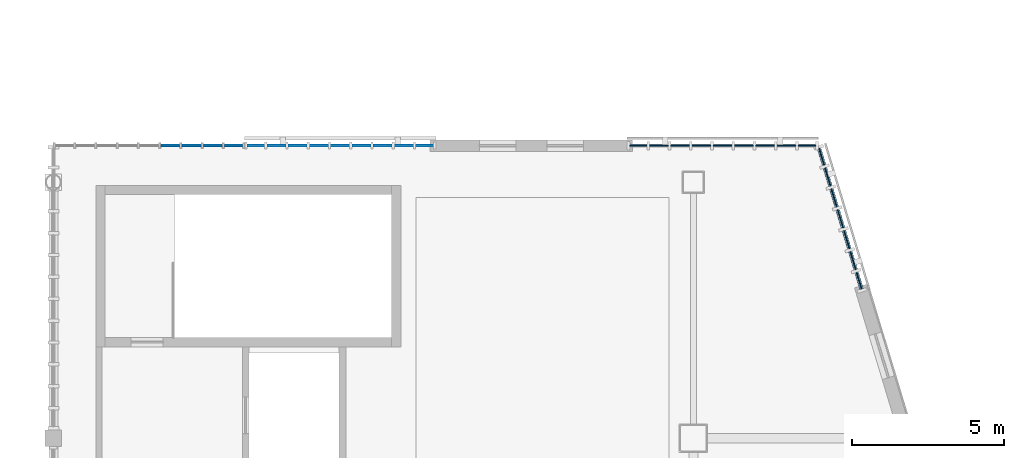
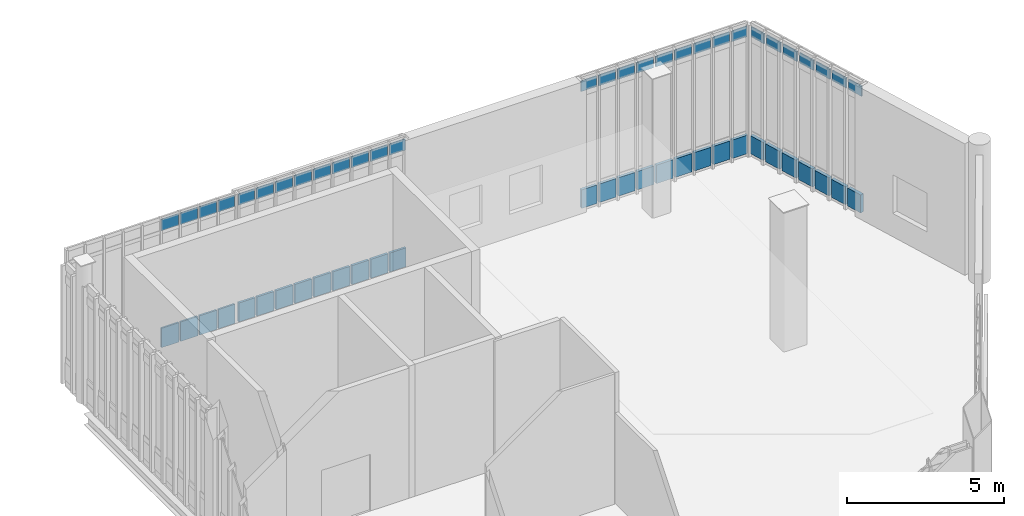
# One storey, part 111 of 135: 58 plates, 4 elements without a shape of their own.
"""IFC4 building model written with IfcOpenShell, lengths in metres."""

from ifc_helpers import new_model, si_unit, direction, frame, origin, origin_2d, place, context, subcontext, project, spatial, rectangle, extrude, material, layer, layer_set, type_object, element, aggregate, save


model = new_model("IFC4")

# Units and contexts
model_context = context("Model", 3, precision=1e-05, world=origin(), true_north=direction((0.0, 1.0)))
body_context = subcontext(model_context, "Body", "Model", "MODEL_VIEW")
ifc_project = project(units=[si_unit("LENGTHUNIT", "METRE"), si_unit("AREAUNIT", "SQUARE_METRE"), si_unit("VOLUMEUNIT", "CUBIC_METRE"), si_unit("PLANEANGLEUNIT", "RADIAN"), si_unit("MASSUNIT", "GRAM", prefix="KILO")], contexts=[model_context])

# Site, building, storey
site_placement = place(None, origin())
site = spatial("IfcSite", under=ifc_project, at=site_placement, CompositionType="ELEMENT")
building_placement = place(site_placement, origin())
building = spatial("IfcBuilding", under=site, at=building_placement, Name="Larkvane Passage Sports Hall", CompositionType="ELEMENT")
storey_placement = place(building_placement, frame((0.0, 0.0, 16.800048828125)))
storey = spatial("IfcBuildingStorey", under=building, at=storey_placement, Name="L03", CompositionType="ELEMENT", Elevation=16.800048828125)

# Curtain wall, plates
ifc_material_1 = material(Name="Thermally broken aluminium and low-E glazing", Category="aluminium")
curtain_wall_type_1 = type_object("IfcCurtainWallType", Name="CW-STICK-FOYER", PredefinedType="USERDEFINED", material=ifc_material_1)
curtain_wall_1_placement = place(storey_placement, origin())
curtain_wall_1 = element("IfcCurtainWall", 1, at=curtain_wall_1_placement, inside=storey, type_object=curtain_wall_type_1, Name="Curtain wall CW5-L03-106", ObjectType="STICK CURTAIN WALL", PredefinedType="USERDEFINED")
ifc_material_2 = material(Name="Fire-stopped shadow-box spandrel panel")
ifc_layer_1 = layer(ifc_material_2, 0.10498046875)
ifc_layer_set_1 = layer_set([ifc_layer_1], Name="Fire-stopped shadow-box spandrel panel")
plate_type_1 = type_object("IfcPlateType", Name="CWP-SPD-105", PredefinedType="CURTAIN_PANEL", material=ifc_layer_set_1)
plate_1_placement = place(storey_placement, frame((143.796142578125, 85.199951171875, 0.08984375), z_axis=(0.0, 0.0, 1.0), x_axis=(1.0, 0.0, 0.0)))
plate_1 = element("IfcPlate", 2, at=plate_1_placement, type_object=plate_type_1, Name="CW-03 panel 1.1", PredefinedType="CURTAIN_PANEL", context=body_context, shape_type="SweptSolid", body=[
    extrude(rectangle(XDim=0.562255859375, YDim=0.10498046875, at=origin_2d()), origin(), (0.0, 0.0, 1.0), 0.715087890625),
])
plate_2_placement = place(storey_placement, frame((144.470947265625, 85.199951171875, 0.08984375), z_axis=(0.0, 0.0, 1.0), x_axis=(1.0, 0.0, 0.0)))
plate_2 = element("IfcPlate", 3, at=plate_2_placement, type_object=plate_type_1, Name="CW-03 panel 2.1", PredefinedType="CURTAIN_PANEL", context=body_context, shape_type="SweptSolid", body=[
    extrude(rectangle(XDim=0.607177734375, YDim=0.10498046875, at=origin_2d()), origin(), (0.0, 0.0, 1.0), 0.715087890625),
])
plate_3_placement = place(storey_placement, frame((145.16796875, 85.199951171875, 0.08984375), z_axis=(0.0, 0.0, 1.0), x_axis=(1.0, 0.0, 0.0)))
plate_3 = element("IfcPlate", 4, at=plate_3_placement, type_object=plate_type_1, Name="CW-03 panel 3.1", PredefinedType="CURTAIN_PANEL", context=body_context, shape_type="SweptSolid", body=[
    extrude(rectangle(XDim=0.607177734375, YDim=0.10498046875, at=origin_2d()), origin(), (0.0, 0.0, 1.0), 0.715087890625),
])
plate_4_placement = place(storey_placement, frame((145.865234375, 85.199951171875, 0.08984375), z_axis=(0.0, 0.0, 1.0), x_axis=(1.0, 0.0, 0.0)))
plate_4 = element("IfcPlate", 5, at=plate_4_placement, type_object=plate_type_1, Name="CW-03 panel 4.1", PredefinedType="CURTAIN_PANEL", context=body_context, shape_type="SweptSolid", body=[
    extrude(rectangle(XDim=0.607177734375, YDim=0.10498046875, at=origin_2d()), origin(), (0.0, 0.0, 1.0), 0.715087890625),
])
plate_5_placement = place(storey_placement, frame((146.5625, 85.199951171875, 0.08984375), z_axis=(0.0, 0.0, 1.0), x_axis=(1.0, 0.0, 0.0)))
plate_5 = element("IfcPlate", 6, at=plate_5_placement, type_object=plate_type_1, Name="CW-03 panel 5.1", PredefinedType="CURTAIN_PANEL", context=body_context, shape_type="SweptSolid", body=[
    extrude(rectangle(XDim=0.607177734375, YDim=0.10498046875, at=origin_2d()), origin(), (0.0, 0.0, 1.0), 0.715087890625),
])
plate_6_placement = place(storey_placement, frame((147.259765625, 85.199951171875, 0.08984375), z_axis=(0.0, 0.0, 1.0), x_axis=(1.0, 0.0, 0.0)))
plate_6 = element("IfcPlate", 7, at=plate_6_placement, type_object=plate_type_1, Name="CW-03 panel 6.1", PredefinedType="CURTAIN_PANEL", context=body_context, shape_type="SweptSolid", body=[
    extrude(rectangle(XDim=0.607177734375, YDim=0.10498046875, at=origin_2d()), origin(), (0.0, 0.0, 1.0), 0.715087890625),
])
plate_7_placement = place(storey_placement, frame((147.95703125, 85.199951171875, 0.08984375), z_axis=(0.0, 0.0, 1.0), x_axis=(1.0, 0.0, 0.0)))
plate_7 = element("IfcPlate", 8, at=plate_7_placement, type_object=plate_type_1, Name="CW-03 panel 7.1", PredefinedType="CURTAIN_PANEL", context=body_context, shape_type="SweptSolid", body=[
    extrude(rectangle(XDim=0.607177734375, YDim=0.10498046875, at=origin_2d()), origin(), (0.0, 0.0, 1.0), 0.715087890625),
])
plate_8_placement = place(storey_placement, frame((148.654052734375, 85.199951171875, 0.08984375), z_axis=(0.0, 0.0, 1.0), x_axis=(1.0, 0.0, 0.0)))
plate_8 = element("IfcPlate", 9, at=plate_8_placement, type_object=plate_type_1, Name="CW-03 panel 8.1", PredefinedType="CURTAIN_PANEL", context=body_context, shape_type="SweptSolid", body=[
    extrude(rectangle(XDim=0.607177734375, YDim=0.10498046875, at=origin_2d()), origin(), (0.0, 0.0, 1.0), 0.715087890625),
])
plate_9_placement = place(storey_placement, frame((149.328857421875, 85.199951171875, 0.08984375), z_axis=(0.0, 0.0, 1.0), x_axis=(1.0, 0.0, 0.0)))
plate_9 = element("IfcPlate", 10, at=plate_9_placement, type_object=plate_type_1, Name="CW-03 panel 9.1", PredefinedType="CURTAIN_PANEL", context=body_context, shape_type="SweptSolid", body=[
    extrude(rectangle(XDim=0.562255859375, YDim=0.10498046875, at=origin_2d()), origin(), (0.0, 0.0, 1.0), 0.715087890625),
])

curtain_wall_type_2 = type_object("IfcCurtainWallType", Name="CW-CLINIC", PredefinedType="USERDEFINED", material=ifc_material_1)
curtain_wall_2_placement = place(storey_placement, origin())
curtain_wall_2 = element("IfcCurtainWall", 11, at=curtain_wall_2_placement, inside=storey, type_object=curtain_wall_type_2, Name="Curtain wall CW5-L03-107", ObjectType="UNITISED CURTAIN WALL", PredefinedType="USERDEFINED")
ifc_material_3 = material(Name="Deep insulated facade spandrel panel")
ifc_layer_2 = layer(ifc_material_3, 0.125)
ifc_layer_set_2 = layer_set([ifc_layer_2], Name="Deep insulated facade spandrel panel")
plate_type_2 = type_object("IfcPlateType", Name="CWP-SPD-125", PredefinedType="CURTAIN_PANEL", material=ifc_layer_set_2)
plate_10_placement = place(storey_placement, frame((149.810791015625, 84.833251953125, 0.10009765625), z_axis=(0.0, 0.0, 1.0), x_axis=(0.289177016584, -0.957275641119, 0.0)))
plate_10 = element("IfcPlate", 12, at=plate_10_placement, type_object=plate_type_2, Name="CW-05 panel 1.1", PredefinedType="CURTAIN_PANEL", context=body_context, shape_type="SweptSolid", body=[
    extrude(rectangle(XDim=0.56640625, YDim=0.125, at=origin_2d()), origin(), (0.0, 0.0, 1.0), 0.699951171875),
])
plate_11_placement = place(storey_placement, frame((150.0107421875, 84.17138671875, 0.10009765625), z_axis=(0.0, 0.0, 1.0), x_axis=(0.289177016584, -0.957275641119, 0.0)))
plate_11 = element("IfcPlate", 13, at=plate_11_placement, type_object=plate_type_2, Name="CW-05 panel 2.1", PredefinedType="CURTAIN_PANEL", context=body_context, shape_type="SweptSolid", body=[
    extrude(rectangle(XDim=0.6162109375, YDim=0.125, at=origin_2d()), origin(), (0.0, 0.0, 1.0), 0.699951171875),
])
plate_12_placement = place(storey_placement, frame((150.2177734375, 83.485595703125, 0.10009765625), z_axis=(0.0, 0.0, 1.0), x_axis=(0.289177016584, -0.957275641119, 0.0)))
plate_12 = element("IfcPlate", 14, at=plate_12_placement, type_object=plate_type_2, Name="CW-05 panel 3.1", PredefinedType="CURTAIN_PANEL", context=body_context, shape_type="SweptSolid", body=[
    extrude(rectangle(XDim=0.6162109375, YDim=0.125, at=origin_2d()), origin(), (0.0, 0.0, 1.0), 0.699951171875),
])
plate_13_placement = place(storey_placement, frame((150.425048828125, 82.800048828125, 0.10009765625), z_axis=(0.0, 0.0, 1.0), x_axis=(0.289177016584, -0.957275641119, 0.0)))
plate_13 = element("IfcPlate", 15, at=plate_13_placement, type_object=plate_type_2, Name="CW-05 panel 4.1", PredefinedType="CURTAIN_PANEL", context=body_context, shape_type="SweptSolid", body=[
    extrude(rectangle(XDim=0.6162109375, YDim=0.125, at=origin_2d()), origin(), (0.0, 0.0, 1.0), 0.699951171875),
])
plate_14_placement = place(storey_placement, frame((150.632080078125, 82.1142578125, 0.10009765625), z_axis=(0.0, 0.0, 1.0), x_axis=(0.289177016584, -0.957275641119, 0.0)))
plate_14 = element("IfcPlate", 16, at=plate_14_placement, type_object=plate_type_2, Name="CW-05 panel 5.1", PredefinedType="CURTAIN_PANEL", context=body_context, shape_type="SweptSolid", body=[
    extrude(rectangle(XDim=0.6162109375, YDim=0.125, at=origin_2d()), origin(), (0.0, 0.0, 1.0), 0.699951171875),
])
plate_15_placement = place(storey_placement, frame((150.83935546875, 81.428466796875, 0.10009765625), z_axis=(0.0, 0.0, 1.0), x_axis=(0.289177016584, -0.957275641119, 0.0)))
plate_15 = element("IfcPlate", 17, at=plate_15_placement, type_object=plate_type_2, Name="CW-05 panel 6.1", PredefinedType="CURTAIN_PANEL", context=body_context, shape_type="SweptSolid", body=[
    extrude(rectangle(XDim=0.6162109375, YDim=0.125, at=origin_2d()), origin(), (0.0, 0.0, 1.0), 0.699951171875),
])
plate_16_placement = place(storey_placement, frame((151.039306640625, 80.766845703125, 0.10009765625), z_axis=(0.0, 0.0, 1.0), x_axis=(0.289177016584, -0.957275641119, 0.0)))
plate_16 = element("IfcPlate", 18, at=plate_16_placement, type_object=plate_type_2, Name="CW-05 panel 7.1", PredefinedType="CURTAIN_PANEL", context=body_context, shape_type="SweptSolid", body=[
    extrude(rectangle(XDim=0.56640625, YDim=0.125, at=origin_2d()), origin(), (0.0, 0.0, 1.0), 0.699951171875),
])

curtain_wall_type_3 = type_object("IfcCurtainWallType", Name="CW-UNIT-COURT", PredefinedType="USERDEFINED", material=ifc_material_1)
curtain_wall_3_placement = place(storey_placement, origin())
curtain_wall_3 = element("IfcCurtainWall", 19, at=curtain_wall_3_placement, inside=storey, type_object=curtain_wall_type_3, Name="Curtain wall CW5-L03-104", ObjectType="UNITISED CURTAIN WALL", PredefinedType="USERDEFINED")
ifc_material_4 = material(Name="Insulated aluminium spandrel panel", Category="aluminium")
ifc_layer_3 = layer(ifc_material_4, 0.06494140625)
ifc_layer_set_3 = layer_set([ifc_layer_3], Name="Insulated aluminium spandrel panel")
plate_type_3 = type_object("IfcPlateType", Name="CWP-SPD-65", PredefinedType="CURTAIN_PANEL", material=ifc_layer_set_3)
plate_17_placement = place(storey_placement, frame((128.434814453125, 85.199951171875, 0.06494140625), z_axis=(0.0, 0.0, 1.0), x_axis=(1.0, 0.0, 0.0)))
plate_17 = element("IfcPlate", 20, at=plate_17_placement, type_object=plate_type_3, Name="CW-01 panel 6.1", PredefinedType="CURTAIN_PANEL", context=body_context, shape_type="SweptSolid", body=[
    extrude(rectangle(XDim=0.63232421875, YDim=0.06494140625, at=origin_2d()), origin(), (0.0, 0.0, 1.0), 0.75244140625),
])
plate_18_placement = place(storey_placement, frame((129.1318359375, 85.199951171875, 0.06494140625), z_axis=(0.0, 0.0, 1.0), x_axis=(1.0, 0.0, 0.0)))
plate_18 = element("IfcPlate", 21, at=plate_18_placement, type_object=plate_type_3, Name="CW-01 panel 7.1", PredefinedType="CURTAIN_PANEL", context=body_context, shape_type="SweptSolid", body=[
    extrude(rectangle(XDim=0.63232421875, YDim=0.06494140625, at=origin_2d()), origin(), (0.0, 0.0, 1.0), 0.75244140625),
])
plate_19_placement = place(storey_placement, frame((129.8291015625, 85.199951171875, 0.06494140625), z_axis=(0.0, 0.0, 1.0), x_axis=(1.0, 0.0, 0.0)))
plate_19 = element("IfcPlate", 22, at=plate_19_placement, type_object=plate_type_3, Name="CW-01 panel 8.1", PredefinedType="CURTAIN_PANEL", context=body_context, shape_type="SweptSolid", body=[
    extrude(rectangle(XDim=0.63232421875, YDim=0.06494140625, at=origin_2d()), origin(), (0.0, 0.0, 1.0), 0.75244140625),
])
plate_20_placement = place(storey_placement, frame((130.51025390625, 85.199951171875, 0.06494140625), z_axis=(0.0, 0.0, 1.0), x_axis=(1.0, 0.0, 0.0)))
plate_20 = element("IfcPlate", 23, at=plate_20_placement, type_object=plate_type_3, Name="CW-01 panel 9.1", PredefinedType="CURTAIN_PANEL", context=body_context, shape_type="SweptSolid", body=[
    extrude(rectangle(XDim=0.599609375, YDim=0.06494140625, at=origin_2d()), origin(), (0.0, 0.0, 1.0), 0.75244140625),
])

curtain_wall_type_4 = type_object("IfcCurtainWallType", Name="CW-UNIT-VEIL", PredefinedType="USERDEFINED", material=ifc_material_1)
curtain_wall_4_placement = place(storey_placement, origin())
curtain_wall_4 = element("IfcCurtainWall", 24, at=curtain_wall_4_placement, inside=storey, type_object=curtain_wall_type_4, Name="Curtain wall CW5-L03-105", ObjectType="UNITISED CURTAIN WALL", PredefinedType="USERDEFINED")
ifc_material_5 = material(Name="Mineral-wool insulated spandrel cassette")
ifc_layer_4 = layer(ifc_material_5, 0.0849609375)
ifc_layer_set_4 = layer_set([ifc_layer_4], Name="Mineral-wool insulated spandrel cassette")
plate_type_4 = type_object("IfcPlateType", Name="CWP-SPD-85", PredefinedType="CURTAIN_PANEL", material=ifc_layer_set_4)
plate_21_placement = place(storey_placement, frame((131.242431640625, 85.199951171875, 0.07470703125), z_axis=(0.0, 0.0, 1.0), x_axis=(1.0, 0.0, 0.0)))
plate_21 = element("IfcPlate", 25, at=plate_21_placement, type_object=plate_type_4, Name="CW-02 panel 1.1", PredefinedType="CURTAIN_PANEL", context=body_context, shape_type="SweptSolid", body=[
    extrude(rectangle(XDim=0.584716796875, YDim=0.0849609375, at=origin_2d()), origin(), (0.0, 0.0, 1.0), 0.737548828125),
])
plate_22_placement = place(storey_placement, frame((131.9208984375, 85.199951171875, 0.07470703125), z_axis=(0.0, 0.0, 1.0), x_axis=(1.0, 0.0, 0.0)))
plate_22 = element("IfcPlate", 26, at=plate_22_placement, type_object=plate_type_4, Name="CW-02 panel 2.1", PredefinedType="CURTAIN_PANEL", context=body_context, shape_type="SweptSolid", body=[
    extrude(rectangle(XDim=0.622314453125, YDim=0.0849609375, at=origin_2d()), origin(), (0.0, 0.0, 1.0), 0.737548828125),
])
plate_23_placement = place(storey_placement, frame((132.6181640625, 85.199951171875, 0.07470703125), z_axis=(0.0, 0.0, 1.0), x_axis=(1.0, 0.0, 0.0)))
plate_23 = element("IfcPlate", 27, at=plate_23_placement, type_object=plate_type_4, Name="CW-02 panel 3.1", PredefinedType="CURTAIN_PANEL", context=body_context, shape_type="SweptSolid", body=[
    extrude(rectangle(XDim=0.622314453125, YDim=0.0849609375, at=origin_2d()), origin(), (0.0, 0.0, 1.0), 0.737548828125),
])
plate_24_placement = place(storey_placement, frame((133.315185546875, 85.199951171875, 0.07470703125), z_axis=(0.0, 0.0, 1.0), x_axis=(1.0, 0.0, 0.0)))
plate_24 = element("IfcPlate", 28, at=plate_24_placement, type_object=plate_type_4, Name="CW-02 panel 4.1", PredefinedType="CURTAIN_PANEL", context=body_context, shape_type="SweptSolid", body=[
    extrude(rectangle(XDim=0.622314453125, YDim=0.0849609375, at=origin_2d()), origin(), (0.0, 0.0, 1.0), 0.737548828125),
])
plate_25_placement = place(storey_placement, frame((134.012451171875, 85.199951171875, 0.07470703125), z_axis=(0.0, 0.0, 1.0), x_axis=(1.0, 0.0, 0.0)))
plate_25 = element("IfcPlate", 29, at=plate_25_placement, type_object=plate_type_4, Name="CW-02 panel 5.1", PredefinedType="CURTAIN_PANEL", context=body_context, shape_type="SweptSolid", body=[
    extrude(rectangle(XDim=0.622314453125, YDim=0.0849609375, at=origin_2d()), origin(), (0.0, 0.0, 1.0), 0.737548828125),
])
plate_26_placement = place(storey_placement, frame((134.709716796875, 85.199951171875, 0.07470703125), z_axis=(0.0, 0.0, 1.0), x_axis=(1.0, 0.0, 0.0)))
plate_26 = element("IfcPlate", 30, at=plate_26_placement, type_object=plate_type_4, Name="CW-02 panel 6.1", PredefinedType="CURTAIN_PANEL", context=body_context, shape_type="SweptSolid", body=[
    extrude(rectangle(XDim=0.622314453125, YDim=0.0849609375, at=origin_2d()), origin(), (0.0, 0.0, 1.0), 0.737548828125),
])
plate_27_placement = place(storey_placement, frame((135.406982421875, 85.199951171875, 0.07470703125), z_axis=(0.0, 0.0, 1.0), x_axis=(1.0, 0.0, 0.0)))
plate_27 = element("IfcPlate", 31, at=plate_27_placement, type_object=plate_type_4, Name="CW-02 panel 7.1", PredefinedType="CURTAIN_PANEL", context=body_context, shape_type="SweptSolid", body=[
    extrude(rectangle(XDim=0.622314453125, YDim=0.0849609375, at=origin_2d()), origin(), (0.0, 0.0, 1.0), 0.737548828125),
])
plate_28_placement = place(storey_placement, frame((136.104248046875, 85.199951171875, 0.07470703125), z_axis=(0.0, 0.0, 1.0), x_axis=(1.0, 0.0, 0.0)))
plate_28 = element("IfcPlate", 32, at=plate_28_placement, type_object=plate_type_4, Name="CW-02 panel 8.1", PredefinedType="CURTAIN_PANEL", context=body_context, shape_type="SweptSolid", body=[
    extrude(rectangle(XDim=0.622314453125, YDim=0.0849609375, at=origin_2d()), origin(), (0.0, 0.0, 1.0), 0.737548828125),
])
plate_29_placement = place(storey_placement, frame((136.78271484375, 85.199951171875, 0.07470703125), z_axis=(0.0, 0.0, 1.0), x_axis=(1.0, 0.0, 0.0)))
plate_29 = element("IfcPlate", 33, at=plate_29_placement, type_object=plate_type_4, Name="CW-02 panel 9.1", PredefinedType="CURTAIN_PANEL", context=body_context, shape_type="SweptSolid", body=[
    extrude(rectangle(XDim=0.584716796875, YDim=0.0849609375, at=origin_2d()), origin(), (0.0, 0.0, 1.0), 0.737548828125),
])

# Plate
ifc_material_6 = material(Name="Solar-control low-E double glazing", Category="glass")
ifc_layer_5 = layer(ifc_material_6, 0.028076171875)
ifc_layer_set_5 = layer_set([ifc_layer_5], Name="Solar-control low-E double glazing")
plate_type_5 = type_object("IfcPlateType", Name="CWP-VIS-28", PredefinedType="CURTAIN_PANEL", material=ifc_layer_set_5)
plate_30_placement = place(storey_placement, frame((128.434814453125, 85.199951171875, 4.58251953125), z_axis=(0.0, 0.0, 1.0), x_axis=(1.0, 0.0, 0.0)))
plate_30 = element("IfcPlate", 34, at=plate_30_placement, type_object=plate_type_5, Name="CW-01 panel 6.3", PredefinedType="CURTAIN_PANEL", context=body_context, shape_type="SweptSolid", body=[
    extrude(rectangle(XDim=0.63232421875, YDim=0.028076171875, at=origin_2d()), origin(), (0.0, 0.0, 1.0), 0.452392578125),
])

plate_31_placement = place(storey_placement, frame((129.1318359375, 85.199951171875, 4.58251953125), z_axis=(0.0, 0.0, 1.0), x_axis=(1.0, 0.0, 0.0)))
plate_31 = element("IfcPlate", 35, at=plate_31_placement, type_object=plate_type_5, Name="CW-01 panel 7.3", PredefinedType="CURTAIN_PANEL", context=body_context, shape_type="SweptSolid", body=[
    extrude(rectangle(XDim=0.63232421875, YDim=0.028076171875, at=origin_2d()), origin(), (0.0, 0.0, 1.0), 0.452392578125),
])

plate_32_placement = place(storey_placement, frame((129.8291015625, 85.199951171875, 4.58251953125), z_axis=(0.0, 0.0, 1.0), x_axis=(1.0, 0.0, 0.0)))
plate_32 = element("IfcPlate", 36, at=plate_32_placement, type_object=plate_type_5, Name="CW-01 panel 8.3", PredefinedType="CURTAIN_PANEL", context=body_context, shape_type="SweptSolid", body=[
    extrude(rectangle(XDim=0.63232421875, YDim=0.028076171875, at=origin_2d()), origin(), (0.0, 0.0, 1.0), 0.452392578125),
])

plate_33_placement = place(storey_placement, frame((130.51025390625, 85.199951171875, 4.58251953125), z_axis=(0.0, 0.0, 1.0), x_axis=(1.0, 0.0, 0.0)))
plate_33 = element("IfcPlate", 37, at=plate_33_placement, type_object=plate_type_5, Name="CW-01 panel 9.3", PredefinedType="CURTAIN_PANEL", context=body_context, shape_type="SweptSolid", body=[
    extrude(rectangle(XDim=0.599609375, YDim=0.028076171875, at=origin_2d()), origin(), (0.0, 0.0, 1.0), 0.452392578125),
])

aggregate(curtain_wall_3, [plate_17, plate_30, plate_18, plate_31, plate_19, plate_32, plate_20, plate_33])

ifc_material_7 = material(Name="Laminated acoustic low-E glazing", Category="glass")
ifc_layer_6 = layer(ifc_material_7, 0.031982421875)
ifc_layer_set_6 = layer_set([ifc_layer_6], Name="Laminated acoustic low-E glazing")
plate_type_6 = type_object("IfcPlateType", Name="CWP-VIS-32", PredefinedType="CURTAIN_PANEL", material=ifc_layer_set_6)
plate_34_placement = place(storey_placement, frame((131.242431640625, 85.199951171875, 4.58740234375), z_axis=(0.0, 0.0, 1.0), x_axis=(1.0, 0.0, 0.0)))
plate_34 = element("IfcPlate", 38, at=plate_34_placement, type_object=plate_type_6, Name="CW-02 panel 1.3", PredefinedType="CURTAIN_PANEL", context=body_context, shape_type="SweptSolid", body=[
    extrude(rectangle(XDim=0.584716796875, YDim=0.031982421875, at=origin_2d()), origin(), (0.0, 0.0, 1.0), 0.4375),
])

plate_35_placement = place(storey_placement, frame((131.9208984375, 85.199951171875, 4.58740234375), z_axis=(0.0, 0.0, 1.0), x_axis=(1.0, 0.0, 0.0)))
plate_35 = element("IfcPlate", 39, at=plate_35_placement, type_object=plate_type_6, Name="CW-02 panel 2.3", PredefinedType="CURTAIN_PANEL", context=body_context, shape_type="SweptSolid", body=[
    extrude(rectangle(XDim=0.622314453125, YDim=0.031982421875, at=origin_2d()), origin(), (0.0, 0.0, 1.0), 0.4375),
])

plate_36_placement = place(storey_placement, frame((132.6181640625, 85.199951171875, 4.58740234375), z_axis=(0.0, 0.0, 1.0), x_axis=(1.0, 0.0, 0.0)))
plate_36 = element("IfcPlate", 40, at=plate_36_placement, type_object=plate_type_6, Name="CW-02 panel 3.3", PredefinedType="CURTAIN_PANEL", context=body_context, shape_type="SweptSolid", body=[
    extrude(rectangle(XDim=0.622314453125, YDim=0.031982421875, at=origin_2d()), origin(), (0.0, 0.0, 1.0), 0.4375),
])

plate_37_placement = place(storey_placement, frame((133.315185546875, 85.199951171875, 4.58740234375), z_axis=(0.0, 0.0, 1.0), x_axis=(1.0, 0.0, 0.0)))
plate_37 = element("IfcPlate", 41, at=plate_37_placement, type_object=plate_type_6, Name="CW-02 panel 4.3", PredefinedType="CURTAIN_PANEL", context=body_context, shape_type="SweptSolid", body=[
    extrude(rectangle(XDim=0.622314453125, YDim=0.031982421875, at=origin_2d()), origin(), (0.0, 0.0, 1.0), 0.4375),
])

plate_38_placement = place(storey_placement, frame((134.012451171875, 85.199951171875, 4.58740234375), z_axis=(0.0, 0.0, 1.0), x_axis=(1.0, 0.0, 0.0)))
plate_38 = element("IfcPlate", 42, at=plate_38_placement, type_object=plate_type_6, Name="CW-02 panel 5.3", PredefinedType="CURTAIN_PANEL", context=body_context, shape_type="SweptSolid", body=[
    extrude(rectangle(XDim=0.622314453125, YDim=0.031982421875, at=origin_2d()), origin(), (0.0, 0.0, 1.0), 0.4375),
])

plate_39_placement = place(storey_placement, frame((134.709716796875, 85.199951171875, 4.58740234375), z_axis=(0.0, 0.0, 1.0), x_axis=(1.0, 0.0, 0.0)))
plate_39 = element("IfcPlate", 43, at=plate_39_placement, type_object=plate_type_6, Name="CW-02 panel 6.3", PredefinedType="CURTAIN_PANEL", context=body_context, shape_type="SweptSolid", body=[
    extrude(rectangle(XDim=0.622314453125, YDim=0.031982421875, at=origin_2d()), origin(), (0.0, 0.0, 1.0), 0.4375),
])

plate_40_placement = place(storey_placement, frame((135.406982421875, 85.199951171875, 4.58740234375), z_axis=(0.0, 0.0, 1.0), x_axis=(1.0, 0.0, 0.0)))
plate_40 = element("IfcPlate", 44, at=plate_40_placement, type_object=plate_type_6, Name="CW-02 panel 7.3", PredefinedType="CURTAIN_PANEL", context=body_context, shape_type="SweptSolid", body=[
    extrude(rectangle(XDim=0.622314453125, YDim=0.031982421875, at=origin_2d()), origin(), (0.0, 0.0, 1.0), 0.4375),
])

plate_41_placement = place(storey_placement, frame((136.104248046875, 85.199951171875, 4.58740234375), z_axis=(0.0, 0.0, 1.0), x_axis=(1.0, 0.0, 0.0)))
plate_41 = element("IfcPlate", 45, at=plate_41_placement, type_object=plate_type_6, Name="CW-02 panel 8.3", PredefinedType="CURTAIN_PANEL", context=body_context, shape_type="SweptSolid", body=[
    extrude(rectangle(XDim=0.622314453125, YDim=0.031982421875, at=origin_2d()), origin(), (0.0, 0.0, 1.0), 0.4375),
])

plate_42_placement = place(storey_placement, frame((136.78271484375, 85.199951171875, 4.58740234375), z_axis=(0.0, 0.0, 1.0), x_axis=(1.0, 0.0, 0.0)))
plate_42 = element("IfcPlate", 46, at=plate_42_placement, type_object=plate_type_6, Name="CW-02 panel 9.3", PredefinedType="CURTAIN_PANEL", context=body_context, shape_type="SweptSolid", body=[
    extrude(rectangle(XDim=0.584716796875, YDim=0.031982421875, at=origin_2d()), origin(), (0.0, 0.0, 1.0), 0.4375),
])

aggregate(curtain_wall_4, [plate_21, plate_34, plate_22, plate_35, plate_23, plate_36, plate_24, plate_37, plate_25, plate_38, plate_26, plate_39, plate_27, plate_40, plate_28, plate_41, plate_29, plate_42])

ifc_material_8 = material(Name="High-impact court low-E glazing", Category="glass")
ifc_layer_7 = layer(ifc_material_8, 0.035888671875)
ifc_layer_set_7 = layer_set([ifc_layer_7], Name="High-impact court low-E glazing")
plate_type_7 = type_object("IfcPlateType", Name="CWP-VIS-36", PredefinedType="CURTAIN_PANEL", material=ifc_layer_set_7)
plate_43_placement = place(storey_placement, frame((143.796142578125, 85.199951171875, 4.594970703125), z_axis=(0.0, 0.0, 1.0), x_axis=(1.0, 0.0, 0.0)))
plate_43 = element("IfcPlate", 47, at=plate_43_placement, type_object=plate_type_7, Name="CW-03 panel 1.3", PredefinedType="CURTAIN_PANEL", context=body_context, shape_type="SweptSolid", body=[
    extrude(rectangle(XDim=0.562255859375, YDim=0.035888671875, at=origin_2d()), origin(), (0.0, 0.0, 1.0), 0.4150390625),
])

plate_44_placement = place(storey_placement, frame((144.470947265625, 85.199951171875, 4.594970703125), z_axis=(0.0, 0.0, 1.0), x_axis=(1.0, 0.0, 0.0)))
plate_44 = element("IfcPlate", 48, at=plate_44_placement, type_object=plate_type_7, Name="CW-03 panel 2.3", PredefinedType="CURTAIN_PANEL", context=body_context, shape_type="SweptSolid", body=[
    extrude(rectangle(XDim=0.607177734375, YDim=0.035888671875, at=origin_2d()), origin(), (0.0, 0.0, 1.0), 0.4150390625),
])

plate_45_placement = place(storey_placement, frame((145.16796875, 85.199951171875, 4.594970703125), z_axis=(0.0, 0.0, 1.0), x_axis=(1.0, 0.0, 0.0)))
plate_45 = element("IfcPlate", 49, at=plate_45_placement, type_object=plate_type_7, Name="CW-03 panel 3.3", PredefinedType="CURTAIN_PANEL", context=body_context, shape_type="SweptSolid", body=[
    extrude(rectangle(XDim=0.607177734375, YDim=0.035888671875, at=origin_2d()), origin(), (0.0, 0.0, 1.0), 0.4150390625),
])

plate_46_placement = place(storey_placement, frame((145.865234375, 85.199951171875, 4.594970703125), z_axis=(0.0, 0.0, 1.0), x_axis=(1.0, 0.0, 0.0)))
plate_46 = element("IfcPlate", 50, at=plate_46_placement, type_object=plate_type_7, Name="CW-03 panel 4.3", PredefinedType="CURTAIN_PANEL", context=body_context, shape_type="SweptSolid", body=[
    extrude(rectangle(XDim=0.607177734375, YDim=0.035888671875, at=origin_2d()), origin(), (0.0, 0.0, 1.0), 0.4150390625),
])

plate_47_placement = place(storey_placement, frame((146.5625, 85.199951171875, 4.594970703125), z_axis=(0.0, 0.0, 1.0), x_axis=(1.0, 0.0, 0.0)))
plate_47 = element("IfcPlate", 51, at=plate_47_placement, type_object=plate_type_7, Name="CW-03 panel 5.3", PredefinedType="CURTAIN_PANEL", context=body_context, shape_type="SweptSolid", body=[
    extrude(rectangle(XDim=0.607177734375, YDim=0.035888671875, at=origin_2d()), origin(), (0.0, 0.0, 1.0), 0.4150390625),
])

plate_48_placement = place(storey_placement, frame((147.259765625, 85.199951171875, 4.594970703125), z_axis=(0.0, 0.0, 1.0), x_axis=(1.0, 0.0, 0.0)))
plate_48 = element("IfcPlate", 52, at=plate_48_placement, type_object=plate_type_7, Name="CW-03 panel 6.3", PredefinedType="CURTAIN_PANEL", context=body_context, shape_type="SweptSolid", body=[
    extrude(rectangle(XDim=0.607177734375, YDim=0.035888671875, at=origin_2d()), origin(), (0.0, 0.0, 1.0), 0.4150390625),
])

plate_49_placement = place(storey_placement, frame((147.95703125, 85.199951171875, 4.594970703125), z_axis=(0.0, 0.0, 1.0), x_axis=(1.0, 0.0, 0.0)))
plate_49 = element("IfcPlate", 53, at=plate_49_placement, type_object=plate_type_7, Name="CW-03 panel 7.3", PredefinedType="CURTAIN_PANEL", context=body_context, shape_type="SweptSolid", body=[
    extrude(rectangle(XDim=0.607177734375, YDim=0.035888671875, at=origin_2d()), origin(), (0.0, 0.0, 1.0), 0.4150390625),
])

plate_50_placement = place(storey_placement, frame((148.654052734375, 85.199951171875, 4.594970703125), z_axis=(0.0, 0.0, 1.0), x_axis=(1.0, 0.0, 0.0)))
plate_50 = element("IfcPlate", 54, at=plate_50_placement, type_object=plate_type_7, Name="CW-03 panel 8.3", PredefinedType="CURTAIN_PANEL", context=body_context, shape_type="SweptSolid", body=[
    extrude(rectangle(XDim=0.607177734375, YDim=0.035888671875, at=origin_2d()), origin(), (0.0, 0.0, 1.0), 0.4150390625),
])

plate_51_placement = place(storey_placement, frame((149.328857421875, 85.199951171875, 4.594970703125), z_axis=(0.0, 0.0, 1.0), x_axis=(1.0, 0.0, 0.0)))
plate_51 = element("IfcPlate", 55, at=plate_51_placement, type_object=plate_type_7, Name="CW-03 panel 9.3", PredefinedType="CURTAIN_PANEL", context=body_context, shape_type="SweptSolid", body=[
    extrude(rectangle(XDim=0.562255859375, YDim=0.035888671875, at=origin_2d()), origin(), (0.0, 0.0, 1.0), 0.4150390625),
])

aggregate(curtain_wall_1, [plate_1, plate_43, plate_2, plate_44, plate_3, plate_45, plate_4, plate_46, plate_5, plate_47, plate_6, plate_48, plate_7, plate_49, plate_8, plate_50, plate_9, plate_51])

ifc_material_9 = material(Name="Triple-laminated typhoon glazing", Category="glass")
ifc_layer_8 = layer(ifc_material_9, 0.0419921875)
ifc_layer_set_8 = layer_set([ifc_layer_8], Name="Triple-laminated typhoon glazing")
plate_type_8 = type_object("IfcPlateType", Name="CWP-VIS-42", PredefinedType="CURTAIN_PANEL", material=ifc_layer_set_8)
plate_52_placement = place(storey_placement, frame((149.810791015625, 84.833251953125, 4.60009765625), z_axis=(0.0, 0.0, 1.0), x_axis=(0.289177016584, -0.957275641119, 0.0)))
plate_52 = element("IfcPlate", 56, at=plate_52_placement, type_object=plate_type_8, Name="CW-05 panel 1.3", PredefinedType="CURTAIN_PANEL", context=body_context, shape_type="SweptSolid", body=[
    extrude(rectangle(XDim=0.56640625, YDim=0.0419921875, at=origin_2d()), origin(), (0.0, 0.0, 1.0), 0.39990234375),
])

plate_53_placement = place(storey_placement, frame((150.0107421875, 84.17138671875, 4.60009765625), z_axis=(0.0, 0.0, 1.0), x_axis=(0.289177016584, -0.957275641119, 0.0)))
plate_53 = element("IfcPlate", 57, at=plate_53_placement, type_object=plate_type_8, Name="CW-05 panel 2.3", PredefinedType="CURTAIN_PANEL", context=body_context, shape_type="SweptSolid", body=[
    extrude(rectangle(XDim=0.6162109375, YDim=0.0419921875, at=origin_2d()), origin(), (0.0, 0.0, 1.0), 0.39990234375),
])

plate_54_placement = place(storey_placement, frame((150.2177734375, 83.485595703125, 4.60009765625), z_axis=(0.0, 0.0, 1.0), x_axis=(0.289177016584, -0.957275641119, 0.0)))
plate_54 = element("IfcPlate", 58, at=plate_54_placement, type_object=plate_type_8, Name="CW-05 panel 3.3", PredefinedType="CURTAIN_PANEL", context=body_context, shape_type="SweptSolid", body=[
    extrude(rectangle(XDim=0.6162109375, YDim=0.0419921875, at=origin_2d()), origin(), (0.0, 0.0, 1.0), 0.39990234375),
])

plate_55_placement = place(storey_placement, frame((150.425048828125, 82.800048828125, 4.60009765625), z_axis=(0.0, 0.0, 1.0), x_axis=(0.289177016584, -0.957275641119, 0.0)))
plate_55 = element("IfcPlate", 59, at=plate_55_placement, type_object=plate_type_8, Name="CW-05 panel 4.3", PredefinedType="CURTAIN_PANEL", context=body_context, shape_type="SweptSolid", body=[
    extrude(rectangle(XDim=0.6162109375, YDim=0.0419921875, at=origin_2d()), origin(), (0.0, 0.0, 1.0), 0.39990234375),
])

plate_56_placement = place(storey_placement, frame((150.632080078125, 82.1142578125, 4.60009765625), z_axis=(0.0, 0.0, 1.0), x_axis=(0.289177016584, -0.957275641119, 0.0)))
plate_56 = element("IfcPlate", 60, at=plate_56_placement, type_object=plate_type_8, Name="CW-05 panel 5.3", PredefinedType="CURTAIN_PANEL", context=body_context, shape_type="SweptSolid", body=[
    extrude(rectangle(XDim=0.6162109375, YDim=0.0419921875, at=origin_2d()), origin(), (0.0, 0.0, 1.0), 0.39990234375),
])

plate_57_placement = place(storey_placement, frame((150.83935546875, 81.428466796875, 4.60009765625), z_axis=(0.0, 0.0, 1.0), x_axis=(0.289177016584, -0.957275641119, 0.0)))
plate_57 = element("IfcPlate", 61, at=plate_57_placement, type_object=plate_type_8, Name="CW-05 panel 6.3", PredefinedType="CURTAIN_PANEL", context=body_context, shape_type="SweptSolid", body=[
    extrude(rectangle(XDim=0.6162109375, YDim=0.0419921875, at=origin_2d()), origin(), (0.0, 0.0, 1.0), 0.39990234375),
])

plate_58_placement = place(storey_placement, frame((151.039306640625, 80.766845703125, 4.60009765625), z_axis=(0.0, 0.0, 1.0), x_axis=(0.289177016584, -0.957275641119, 0.0)))
plate_58 = element("IfcPlate", 62, at=plate_58_placement, type_object=plate_type_8, Name="CW-05 panel 7.3", PredefinedType="CURTAIN_PANEL", context=body_context, shape_type="SweptSolid", body=[
    extrude(rectangle(XDim=0.56640625, YDim=0.0419921875, at=origin_2d()), origin(), (0.0, 0.0, 1.0), 0.39990234375),
])

aggregate(curtain_wall_2, [plate_10, plate_52, plate_11, plate_53, plate_12, plate_54, plate_13, plate_55, plate_14, plate_56, plate_15, plate_57, plate_16, plate_58])

save(model, "model.ifc")
